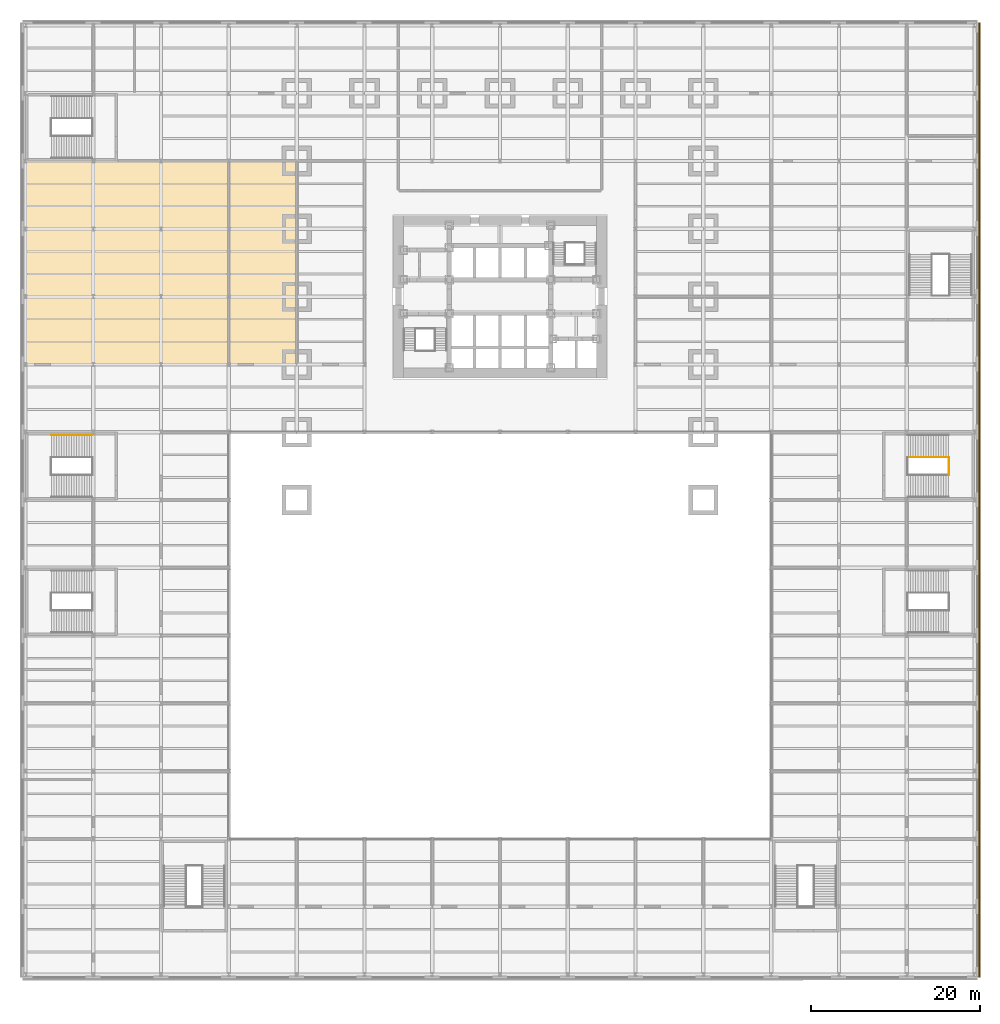
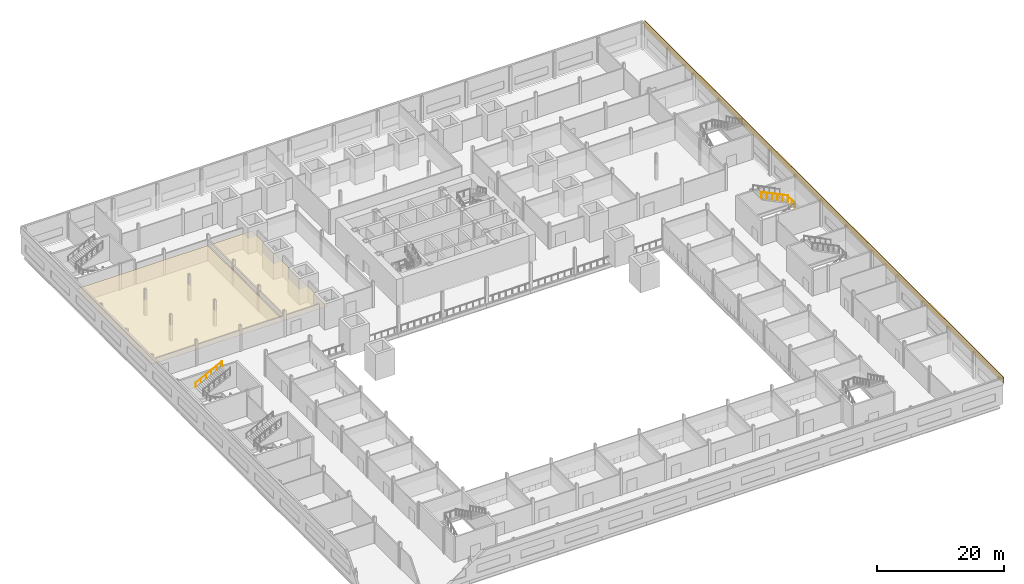
# One storey, part 20 of 22: 3 coverings, 3 railings.
"""IFC4 building model written with IfcOpenShell, lengths in metres."""

from ifc_helpers import new_model, si_unit, direction, frame, origin, origin_2d, place, context, subcontext, project, spatial, polyline, rectangle, circle, outline, extrude, material, layer, layer_set, type_object, element, save


model = new_model("IFC4")

# Units and contexts
model_context = context("Model", 3, precision=1e-05, world=origin(), true_north=direction((0.0, 1.0)))
body_context = subcontext(model_context, "Body", "Model", "MODEL_VIEW")
ifc_project = project(units=[si_unit("LENGTHUNIT", "METRE"), si_unit("AREAUNIT", "SQUARE_METRE"), si_unit("VOLUMEUNIT", "CUBIC_METRE"), si_unit("PLANEANGLEUNIT", "RADIAN"), si_unit("MASSUNIT", "GRAM", prefix="KILO")], contexts=[model_context])

# Site, building, storey
site_placement = place(None, origin())
site = spatial("IfcSite", under=ifc_project, at=site_placement, CompositionType="ELEMENT")
building_placement = place(site_placement, origin())
building = spatial("IfcBuilding", under=site, at=building_placement, Name="Daluyong Arena Tower", CompositionType="ELEMENT")
storey_placement = place(building_placement, frame((0.0, 0.0, 9.89990234375)))
storey = spatial("IfcBuildingStorey", under=building, at=storey_placement, Name="L02", CompositionType="ELEMENT", Elevation=9.89990234375)

# Coverings
ifc_material_1 = material(Name="Mineral fibre ceiling tile", Category="gypsum board")
ifc_layer_1 = layer(ifc_material_1, 0.02001953125)
ifc_layer_set_1 = layer_set([ifc_layer_1], Name="Mineral fibre ceiling tile")
covering_type_1 = type_object("IfcCoveringType", Name="Office ceiling", PredefinedType="CEILING", material=ifc_layer_set_1)
covering_1_placement = place(storey_placement, frame((0.0, 0.0, 2.900146484375)))
element("IfcCovering", 1, at=covering_1_placement, inside=storey, type_object=covering_type_1, Name="ceiling L02-39", PredefinedType="CEILING", context=body_context, shape_type="SweptSolid", body=[
    extrude(outline(polyline([(23.89990234375, 72.10009765625), (23.89990234375, 95.89990234375), (0.10009765625, 95.89990234375), (0.10009765625, 72.10009765625), (23.89990234375, 72.10009765625)])), origin(), (0.0, 0.0, 1.0), 0.02001953125),
])
covering_2_placement = place(storey_placement, frame((0.0, 0.0, 2.900146484375)))
element("IfcCovering", 2, at=covering_2_placement, inside=storey, type_object=covering_type_1, Name="ceiling L02-40", PredefinedType="CEILING", context=body_context, shape_type="SweptSolid", body=[
    extrude(outline(polyline([(31.89990234375, 72.10009765625), (31.89990234375, 95.89990234375), (24.10009765625, 95.89990234375), (24.10009765625, 72.10009765625), (31.89990234375, 72.10009765625)])), origin(), (0.0, 0.0, 1.0), 0.02001953125),
])
ifc_material_2 = material(Name="Red-pigmented glass fibre reinforced concrete", Category="concrete")
ifc_layer_2 = layer(ifc_material_2, 0.14990234375)
ifc_layer_set_2 = layer_set([ifc_layer_2], Name="Red-pigmented glass fibre reinforced concrete")
covering_type_2 = type_object("IfcCoveringType", Name="Podium band cladding", PredefinedType="CLADDING", material=ifc_layer_set_2)
covering_3_placement = place(storey_placement, frame((112.574951171875, 56.0, 3.80029296875), z_axis=(0.0, 0.0, 1.0), x_axis=(0.0, 1.0, 0.0)))
element("IfcCovering", 3, at=covering_3_placement, inside=storey, type_object=covering_type_2, Name="podium band E L02", PredefinedType="CLADDING", context=body_context, shape_type="SweptSolid", body=[
    extrude(rectangle(XDim=112.699951171875, YDim=0.14990234375, at=origin_2d()), origin(), (0.0, 0.0, 1.0), 1.199951171875),
])

# Railings
ifc_material_3 = material(Name="Stainless steel handrail", Category="steel")
railing_type_1 = type_object("IfcRailingType", Name="Stair handrail", PredefinedType="HANDRAIL", material=ifc_material_3)
railing_1_placement = place(storey_placement, frame((3.0400390625, 63.64990234375, 2.647216796875)))
element("IfcRailing", 4, at=railing_1_placement, inside=storey, type_object=railing_type_1, Name="exit stair PS7 handrail L02", PredefinedType="HANDRAIL", context=body_context, shape_type="SweptSolid", body=[
    extrude(circle(Radius=0.02392578125, at=origin_2d()), frame((0.0, 0.0, 0.8759765625), z_axis=(0.89793417156, 0.0, 0.440129780343), x_axis=(0.0, 1.0, 0.0)), (0.0, 0.0, 1.0), 5.345703125),
    extrude(circle(Radius=0.02099609375, at=origin_2d()), origin(), (0.0, 0.0, 1.0), 0.851806640625),
    extrude(circle(Radius=0.02099609375, at=origin_2d()), frame((0.9599609375, 0.0, 0.470458984375)), (0.0, 0.0, 1.0), 0.851806640625),
    extrude(circle(Radius=0.02099609375, at=origin_2d()), frame((1.919921875, 0.0, 0.941162109375)), (0.0, 0.0, 1.0), 0.851806640625),
    extrude(circle(Radius=0.02099609375, at=origin_2d()), frame((2.880126953125, 0.0, 1.41162109375)), (0.0, 0.0, 1.0), 0.851806640625),
    extrude(circle(Radius=0.02099609375, at=origin_2d()), frame((3.840087890625, 0.0, 1.88232421875)), (0.0, 0.0, 1.0), 0.851806640625),
    extrude(circle(Radius=0.02099609375, at=origin_2d()), frame((4.800048828125, 0.0, 2.352783203125)), (0.0, 0.0, 1.0), 0.851806640625),
])
ifc_material_4 = material(Name="Steel balustrade", Category="steel")
railing_type_2 = type_object("IfcRailingType", Name="Stair well guard 1200", PredefinedType="GUARDRAIL", material=ifc_material_4)
railing_2_placement = place(storey_placement, frame((108.9599609375, 61.050048828125, 2.647216796875)))
element("IfcRailing", 5, at=railing_2_placement, inside=storey, type_object=railing_type_2, Name="exit stair PS8 well guard L02", PredefinedType="GUARDRAIL", context=body_context, shape_type="SweptSolid", body=[
    extrude(circle(Radius=0.02392578125, at=origin_2d()), frame((0.0, 0.0, 1.17578125), z_axis=(-0.89793417156, 0.0, 0.440129780343), x_axis=(0.0, -1.0, 0.0)), (0.0, 0.0, 1.0), 5.345703125),
    extrude(circle(Radius=0.02099609375, at=origin_2d()), origin(), (0.0, 0.0, 1.0), 1.15185546875),
    extrude(circle(Radius=0.02099609375, at=origin_2d()), frame((-0.9599609375, 0.0, 0.470458984375)), (0.0, 0.0, 1.0), 1.15185546875),
    extrude(circle(Radius=0.02099609375, at=origin_2d()), frame((-1.919921875, 0.0, 0.941162109375)), (0.0, 0.0, 1.0), 1.15185546875),
    extrude(circle(Radius=0.02099609375, at=origin_2d()), frame((-2.880126953125, 0.0, 1.41162109375)), (0.0, 0.0, 1.0), 1.15185546875),
    extrude(circle(Radius=0.02099609375, at=origin_2d()), frame((-3.840087890625, 0.0, 1.88232421875)), (0.0, 0.0, 1.0), 1.15185546875),
    extrude(circle(Radius=0.02099609375, at=origin_2d()), frame((-4.800048828125, 0.0, 2.352783203125)), (0.0, 0.0, 1.0), 1.15185546875),
])
railing_3_placement = place(storey_placement, frame((109.010009765625, 58.949951171875, 2.5)))
element("IfcRailing", 6, at=railing_3_placement, inside=storey, type_object=railing_type_2, Name="exit stair PS8 landing guard L02", PredefinedType="GUARDRAIL", context=body_context, shape_type="SweptSolid", body=[
    extrude(circle(Radius=0.02392578125, at=origin_2d()), frame((0.0, 0.0, 1.17578125), z_axis=(0.0, 1.0, 0.0), x_axis=(-1.0, 0.0, 0.0)), (0.0, 0.0, 1.0), 2.10009765625),
    extrude(circle(Radius=0.02099609375, at=origin_2d()), origin(), (0.0, 0.0, 1.0), 1.15185546875),
    extrude(circle(Radius=0.02099609375, at=origin_2d()), frame((0.0, 1.050048828125, 0.0)), (0.0, 0.0, 1.0), 1.15185546875),
    extrude(circle(Radius=0.02099609375, at=origin_2d()), frame((0.0, 2.10009765625, 0.0)), (0.0, 0.0, 1.0), 1.15185546875),
])

save(model, "model.ifc")
